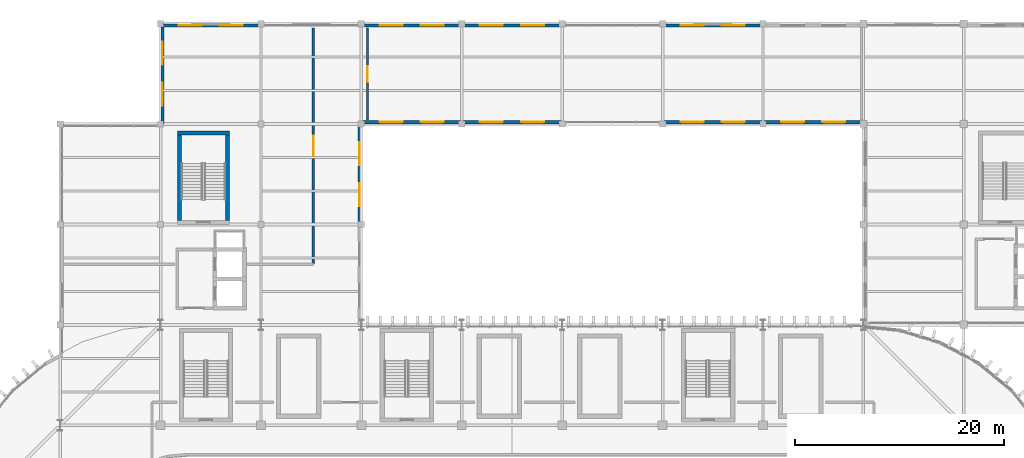
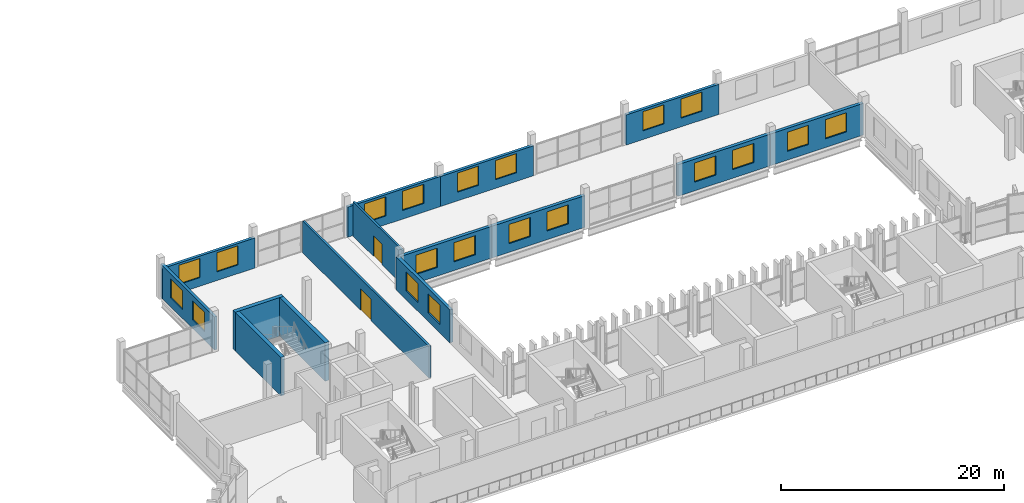
# One storey, part 64 of 92: 20 windows, 15 walls, 2 doors, 22 openings.
"""IFC4 building model written with IfcOpenShell, lengths in metres."""

from ifc_helpers import new_model, si_unit, direction, frame, frame_2d, origin, place, context, subcontext, project, spatial, rectangle, extrude, material, layer, layer_set, type_object, element, fill, save


model = new_model("IFC4")

# Units and contexts
model_context = context("Model", 3, precision=1e-05, world=origin(), true_north=direction((0.0, 1.0)))
body_context = subcontext(model_context, "Body", "Model", "MODEL_VIEW")
ifc_project = project(units=[si_unit("LENGTHUNIT", "METRE"), si_unit("AREAUNIT", "SQUARE_METRE"), si_unit("VOLUMEUNIT", "CUBIC_METRE"), si_unit("PLANEANGLEUNIT", "RADIAN"), si_unit("MASSUNIT", "GRAM", prefix="KILO")], contexts=[model_context])

# Site, building, storey
site_placement = place(None, origin())
site = spatial("IfcSite", under=ifc_project, at=site_placement, CompositionType="ELEMENT")
building_placement = place(site_placement, origin())
building = spatial("IfcBuilding", under=site, at=building_placement, Name="Caelomonte Colonnade Arena", CompositionType="ELEMENT")
storey_placement = place(building_placement, frame((0.0, 0.0, 9.60009765625)))
storey = spatial("IfcBuildingStorey", under=building, at=storey_placement, Name="L02", CompositionType="ELEMENT", Elevation=9.60009765625)

# Wall, openings, windows
ifc_material_1 = material(Name="Precast concrete C40/50", Category="concrete")
ifc_layer_1 = layer(ifc_material_1, 0.2900390625)
ifc_layer_set_1 = layer_set([ifc_layer_1], Name="Precast concrete C40/50")
wall_type_1 = type_object("IfcWallType", Name="ENV-WL-EXT29", PredefinedType="SOLIDWALL", material=ifc_layer_set_1)
wall_1_placement = place(storey_placement, frame((134.39990234375, 143.820068359375, 0.0), z_axis=(0.0, 0.0, 1.0), x_axis=(-1.0, 0.0, 0.0)))
wall_1 = element("IfcWall", 1, at=wall_1_placement, inside=storey, type_object=wall_type_1, Name="L02 exterior wall EW-L02-0261", PredefinedType="SOLIDWALL", context=body_context, shape_type="SweptSolid", body=[
    extrude(rectangle(XDim=9.599853515625, YDim=0.2900390625, at=frame_2d((4.7998046875, 0.0))), origin(), (0.0, 0.0, 1.0), 3.29296875),
])
opening_1_placement = place(wall_1_placement, frame((3.933349609375, 0.0, 0.949951171875), z_axis=(0.0, 0.0, 1.0), x_axis=(-1.0, 0.0, 0.0)))
opening_1 = element("IfcOpeningElement", 2, at=opening_1_placement, cuts=wall_1, Name="Opening WN-05", PredefinedType="OPENING", context=body_context, shape_type="SweptSolid", body=[
    extrude(rectangle(XDim=2.199951171875, YDim=2.10009765625, at=frame_2d((1.10009765625, 1.050048828125))), frame((0.0, 0.155029296875, 0.0), z_axis=(0.0, -1.0, 0.0), x_axis=(1.0, 0.0, 0.0)), (0.0, 0.0, 1.0), 0.31005859375),
])
opening_2_placement = place(wall_1_placement, frame((7.86669921875, 0.0, 0.949951171875), z_axis=(0.0, 0.0, 1.0), x_axis=(-1.0, 0.0, 0.0)))
opening_2 = element("IfcOpeningElement", 3, at=opening_2_placement, cuts=wall_1, Name="Opening WN-05", PredefinedType="OPENING", context=body_context, shape_type="SweptSolid", body=[
    extrude(rectangle(XDim=2.199951171875, YDim=2.10009765625, at=frame_2d((1.10009765625, 1.050048828125))), frame((0.0, 0.155029296875, 0.0), z_axis=(0.0, -1.0, 0.0), x_axis=(1.0, 0.0, 0.0)), (0.0, 0.0, 1.0), 0.31005859375),
])
ifc_material_2 = material(Name="Solar-control bronze low-E double glazing", Category="glass")
window_type = type_object("IfcWindowType", Name="ENV-WN-V4B", PartitioningType="DOUBLE_PANEL_VERTICAL", PredefinedType="WINDOW", material=ifc_material_2)
window_1_placement = place(opening_1_placement, origin())
window_1 = element("IfcWindow", 4, at=window_1_placement, inside=storey, type_object=window_type, Name="L02 facade window 184", OverallHeight=2.10009765625, OverallWidth=2.199951171875, PartitioningType="SINGLE_PANEL", PredefinedType="WINDOW", context=body_context, shape_type="SweptSolid", body=[
    extrude(rectangle(XDim=2.199951171875, YDim=2.10009765625, at=frame_2d((1.10009765625, 1.050048828125))), frame((0.0, 0.030029296875, 0.0), z_axis=(0.0, -1.0, 0.0), x_axis=(1.0, 0.0, 0.0)), (0.0, 0.0, 1.0), 0.06005859375),
])
fill(opening_1, window_1)
window_2_placement = place(opening_2_placement, origin())
window_2 = element("IfcWindow", 5, at=window_2_placement, inside=storey, type_object=window_type, Name="L02 facade window 185", OverallHeight=2.10009765625, OverallWidth=2.199951171875, PartitioningType="SINGLE_PANEL", PredefinedType="WINDOW", context=body_context, shape_type="SweptSolid", body=[
    extrude(rectangle(XDim=2.199951171875, YDim=2.10009765625, at=frame_2d((1.10009765625, 1.050048828125))), frame((0.0, 0.030029296875, 0.0), z_axis=(0.0, -1.0, 0.0), x_axis=(1.0, 0.0, 0.0)), (0.0, 0.0, 1.0), 0.06005859375),
])
fill(opening_2, window_2)

wall_2_placement = place(storey_placement, frame((115.199951171875, 143.820068359375, 0.0), z_axis=(0.0, 0.0, 1.0), x_axis=(-1.0, 0.0, 0.0)))
wall_2 = element("IfcWall", 6, at=wall_2_placement, inside=storey, type_object=wall_type_1, Name="L02 exterior wall EW-L02-0262", PredefinedType="SOLIDWALL", context=body_context, shape_type="SweptSolid", body=[
    extrude(rectangle(XDim=9.599853515625, YDim=0.2900390625, at=frame_2d((4.7998046875, 0.0))), origin(), (0.0, 0.0, 1.0), 3.29296875),
])
opening_3_placement = place(wall_2_placement, frame((3.933349609375, 0.0, 0.949951171875), z_axis=(0.0, 0.0, 1.0), x_axis=(-1.0, 0.0, 0.0)))
opening_3 = element("IfcOpeningElement", 7, at=opening_3_placement, cuts=wall_2, Name="Opening WN-05", PredefinedType="OPENING", context=body_context, shape_type="SweptSolid", body=[
    extrude(rectangle(XDim=2.199951171875, YDim=2.10009765625, at=frame_2d((1.10009765625, 1.050048828125))), frame((0.0, 0.155029296875, 0.0), z_axis=(0.0, -1.0, 0.0), x_axis=(1.0, 0.0, 0.0)), (0.0, 0.0, 1.0), 0.31005859375),
])
opening_4_placement = place(wall_2_placement, frame((7.86669921875, 0.0, 0.949951171875), z_axis=(0.0, 0.0, 1.0), x_axis=(-1.0, 0.0, 0.0)))
opening_4 = element("IfcOpeningElement", 8, at=opening_4_placement, cuts=wall_2, Name="Opening WN-05", PredefinedType="OPENING", context=body_context, shape_type="SweptSolid", body=[
    extrude(rectangle(XDim=2.199951171875, YDim=2.10009765625, at=frame_2d((1.10009765625, 1.050048828125))), frame((0.0, 0.155029296875, 0.0), z_axis=(0.0, -1.0, 0.0), x_axis=(1.0, 0.0, 0.0)), (0.0, 0.0, 1.0), 0.31005859375),
])
window_3_placement = place(opening_3_placement, origin())
window_3 = element("IfcWindow", 9, at=window_3_placement, inside=storey, type_object=window_type, Name="L02 facade window 186", OverallHeight=2.10009765625, OverallWidth=2.199951171875, PartitioningType="SINGLE_PANEL", PredefinedType="WINDOW", context=body_context, shape_type="SweptSolid", body=[
    extrude(rectangle(XDim=2.199951171875, YDim=2.10009765625, at=frame_2d((1.10009765625, 1.050048828125))), frame((0.0, 0.030029296875, 0.0), z_axis=(0.0, -1.0, 0.0), x_axis=(1.0, 0.0, 0.0)), (0.0, 0.0, 1.0), 0.06005859375),
])
fill(opening_3, window_3)
window_4_placement = place(opening_4_placement, origin())
window_4 = element("IfcWindow", 10, at=window_4_placement, inside=storey, type_object=window_type, Name="L02 facade window 187", OverallHeight=2.10009765625, OverallWidth=2.199951171875, PartitioningType="SINGLE_PANEL", PredefinedType="WINDOW", context=body_context, shape_type="SweptSolid", body=[
    extrude(rectangle(XDim=2.199951171875, YDim=2.10009765625, at=frame_2d((1.10009765625, 1.050048828125))), frame((0.0, 0.030029296875, 0.0), z_axis=(0.0, -1.0, 0.0), x_axis=(1.0, 0.0, 0.0)), (0.0, 0.0, 1.0), 0.06005859375),
])
fill(opening_4, window_4)

wall_3_placement = place(storey_placement, frame((105.60009765625, 143.820068359375, 0.0), z_axis=(0.0, 0.0, 1.0), x_axis=(-1.0, 0.0, 0.0)))
wall_3 = element("IfcWall", 11, at=wall_3_placement, inside=storey, type_object=wall_type_1, Name="L02 exterior wall EW-L02-0263", PredefinedType="SOLIDWALL", context=body_context, shape_type="SweptSolid", body=[
    extrude(rectangle(XDim=9.60009765625, YDim=0.2900390625, at=frame_2d((4.800048828125, 0.0))), origin(), (0.0, 0.0, 1.0), 3.29296875),
])
opening_5_placement = place(wall_3_placement, frame((3.933349609375, 0.0, 0.949951171875), z_axis=(0.0, 0.0, 1.0), x_axis=(-1.0, 0.0, 0.0)))
opening_5 = element("IfcOpeningElement", 12, at=opening_5_placement, cuts=wall_3, Name="Opening WN-05", PredefinedType="OPENING", context=body_context, shape_type="SweptSolid", body=[
    extrude(rectangle(XDim=2.199951171875, YDim=2.10009765625, at=frame_2d((1.10009765625, 1.050048828125))), frame((0.0, 0.155029296875, 0.0), z_axis=(0.0, -1.0, 0.0), x_axis=(1.0, 0.0, 0.0)), (0.0, 0.0, 1.0), 0.31005859375),
])
opening_6_placement = place(wall_3_placement, frame((7.86669921875, 0.0, 0.949951171875), z_axis=(0.0, 0.0, 1.0), x_axis=(-1.0, 0.0, 0.0)))
opening_6 = element("IfcOpeningElement", 13, at=opening_6_placement, cuts=wall_3, Name="Opening WN-05", PredefinedType="OPENING", context=body_context, shape_type="SweptSolid", body=[
    extrude(rectangle(XDim=2.199951171875, YDim=2.10009765625, at=frame_2d((1.10009765625, 1.050048828125))), frame((0.0, 0.155029296875, 0.0), z_axis=(0.0, -1.0, 0.0), x_axis=(1.0, 0.0, 0.0)), (0.0, 0.0, 1.0), 0.31005859375),
])
window_5_placement = place(opening_5_placement, origin())
window_5 = element("IfcWindow", 14, at=window_5_placement, inside=storey, type_object=window_type, Name="L02 facade window 188", OverallHeight=2.10009765625, OverallWidth=2.199951171875, PartitioningType="SINGLE_PANEL", PredefinedType="WINDOW", context=body_context, shape_type="SweptSolid", body=[
    extrude(rectangle(XDim=2.199951171875, YDim=2.10009765625, at=frame_2d((1.10009765625, 1.050048828125))), frame((0.0, 0.030029296875, 0.0), z_axis=(0.0, -1.0, 0.0), x_axis=(1.0, 0.0, 0.0)), (0.0, 0.0, 1.0), 0.06005859375),
])
fill(opening_5, window_5)
window_6_placement = place(opening_6_placement, origin())
window_6 = element("IfcWindow", 15, at=window_6_placement, inside=storey, type_object=window_type, Name="L02 facade window 189", OverallHeight=2.10009765625, OverallWidth=2.199951171875, PartitioningType="SINGLE_PANEL", PredefinedType="WINDOW", context=body_context, shape_type="SweptSolid", body=[
    extrude(rectangle(XDim=2.199951171875, YDim=2.10009765625, at=frame_2d((1.10009765625, 1.050048828125))), frame((0.0, 0.030029296875, 0.0), z_axis=(0.0, -1.0, 0.0), x_axis=(1.0, 0.0, 0.0)), (0.0, 0.0, 1.0), 0.06005859375),
])
fill(opening_6, window_6)

wall_4_placement = place(storey_placement, frame((86.39990234375, 143.820068359375, 0.0), z_axis=(0.0, 0.0, 1.0), x_axis=(-1.0, 0.0, 0.0)))
wall_4 = element("IfcWall", 16, at=wall_4_placement, inside=storey, type_object=wall_type_1, Name="L02 exterior wall EW-L02-0264", PredefinedType="SOLIDWALL", context=body_context, shape_type="SweptSolid", body=[
    extrude(rectangle(XDim=9.599853515625, YDim=0.2900390625, at=frame_2d((4.7998046875, 0.0))), origin(), (0.0, 0.0, 1.0), 3.29296875),
])
opening_7_placement = place(wall_4_placement, frame((3.933349609375, 0.0, 0.949951171875), z_axis=(0.0, 0.0, 1.0), x_axis=(-1.0, 0.0, 0.0)))
opening_7 = element("IfcOpeningElement", 17, at=opening_7_placement, cuts=wall_4, Name="Opening WN-05", PredefinedType="OPENING", context=body_context, shape_type="SweptSolid", body=[
    extrude(rectangle(XDim=2.199951171875, YDim=2.10009765625, at=frame_2d((1.10009765625, 1.050048828125))), frame((0.0, 0.155029296875, 0.0), z_axis=(0.0, -1.0, 0.0), x_axis=(1.0, 0.0, 0.0)), (0.0, 0.0, 1.0), 0.31005859375),
])
opening_8_placement = place(wall_4_placement, frame((7.86669921875, 0.0, 0.949951171875), z_axis=(0.0, 0.0, 1.0), x_axis=(-1.0, 0.0, 0.0)))
opening_8 = element("IfcOpeningElement", 18, at=opening_8_placement, cuts=wall_4, Name="Opening WN-05", PredefinedType="OPENING", context=body_context, shape_type="SweptSolid", body=[
    extrude(rectangle(XDim=2.199951171875, YDim=2.10009765625, at=frame_2d((1.10009765625, 1.050048828125))), frame((0.0, 0.155029296875, 0.0), z_axis=(0.0, -1.0, 0.0), x_axis=(1.0, 0.0, 0.0)), (0.0, 0.0, 1.0), 0.31005859375),
])
window_7_placement = place(opening_7_placement, origin())
window_7 = element("IfcWindow", 19, at=window_7_placement, inside=storey, type_object=window_type, Name="L02 facade window 190", OverallHeight=2.10009765625, OverallWidth=2.199951171875, PartitioningType="SINGLE_PANEL", PredefinedType="WINDOW", context=body_context, shape_type="SweptSolid", body=[
    extrude(rectangle(XDim=2.199951171875, YDim=2.10009765625, at=frame_2d((1.10009765625, 1.050048828125))), frame((0.0, 0.030029296875, 0.0), z_axis=(0.0, -1.0, 0.0), x_axis=(1.0, 0.0, 0.0)), (0.0, 0.0, 1.0), 0.06005859375),
])
fill(opening_7, window_7)
window_8_placement = place(opening_8_placement, origin())
window_8 = element("IfcWindow", 20, at=window_8_placement, inside=storey, type_object=window_type, Name="L02 facade window 191", OverallHeight=2.10009765625, OverallWidth=2.199951171875, PartitioningType="SINGLE_PANEL", PredefinedType="WINDOW", context=body_context, shape_type="SweptSolid", body=[
    extrude(rectangle(XDim=2.199951171875, YDim=2.10009765625, at=frame_2d((1.10009765625, 1.050048828125))), frame((0.0, 0.030029296875, 0.0), z_axis=(0.0, -1.0, 0.0), x_axis=(1.0, 0.0, 0.0)), (0.0, 0.0, 1.0), 0.06005859375),
])
fill(opening_8, window_8)

wall_5_placement = place(storey_placement, frame((76.97998046875, 144.0, 0.0), z_axis=(0.0, 0.0, 1.0), x_axis=(0.0, -1.0, 0.0)))
wall_5 = element("IfcWall", 21, at=wall_5_placement, inside=storey, type_object=wall_type_1, Name="L02 exterior wall EW-L02-0265", PredefinedType="SOLIDWALL", context=body_context, shape_type="SweptSolid", body=[
    extrude(rectangle(XDim=9.60009765625, YDim=0.2900390625, at=frame_2d((4.800048828125, 0.0))), origin(), (0.0, 0.0, 1.0), 3.61279296875),
])
opening_9_placement = place(wall_5_placement, frame((3.933349609375, 0.0, 0.949951171875), z_axis=(0.0, 0.0, 1.0), x_axis=(-1.0, 0.0, 0.0)))
opening_9 = element("IfcOpeningElement", 22, at=opening_9_placement, cuts=wall_5, Name="Opening WN-05", PredefinedType="OPENING", context=body_context, shape_type="SweptSolid", body=[
    extrude(rectangle(XDim=2.199951171875, YDim=2.10009765625, at=frame_2d((1.10009765625, 1.050048828125))), frame((0.0, 0.155029296875, 0.0), z_axis=(0.0, -1.0, 0.0), x_axis=(1.0, 0.0, 0.0)), (0.0, 0.0, 1.0), 0.31005859375),
])
opening_10_placement = place(wall_5_placement, frame((7.86669921875, 0.0, 0.949951171875), z_axis=(0.0, 0.0, 1.0), x_axis=(-1.0, 0.0, 0.0)))
opening_10 = element("IfcOpeningElement", 23, at=opening_10_placement, cuts=wall_5, Name="Opening WN-05", PredefinedType="OPENING", context=body_context, shape_type="SweptSolid", body=[
    extrude(rectangle(XDim=2.199951171875, YDim=2.10009765625, at=frame_2d((1.10009765625, 1.050048828125))), frame((0.0, 0.155029296875, 0.0), z_axis=(0.0, -1.0, 0.0), x_axis=(1.0, 0.0, 0.0)), (0.0, 0.0, 1.0), 0.31005859375),
])
window_9_placement = place(opening_9_placement, origin())
window_9 = element("IfcWindow", 24, at=window_9_placement, inside=storey, type_object=window_type, Name="L02 facade window 192", OverallHeight=2.10009765625, OverallWidth=2.199951171875, PartitioningType="SINGLE_PANEL", PredefinedType="WINDOW", context=body_context, shape_type="SweptSolid", body=[
    extrude(rectangle(XDim=2.199951171875, YDim=2.10009765625, at=frame_2d((1.10009765625, 1.050048828125))), frame((0.0, 0.030029296875, 0.0), z_axis=(0.0, -1.0, 0.0), x_axis=(1.0, 0.0, 0.0)), (0.0, 0.0, 1.0), 0.06005859375),
])
fill(opening_9, window_9)
window_10_placement = place(opening_10_placement, origin())
window_10 = element("IfcWindow", 25, at=window_10_placement, inside=storey, type_object=window_type, Name="L02 facade window 193", OverallHeight=2.10009765625, OverallWidth=2.199951171875, PartitioningType="SINGLE_PANEL", PredefinedType="WINDOW", context=body_context, shape_type="SweptSolid", body=[
    extrude(rectangle(XDim=2.199951171875, YDim=2.10009765625, at=frame_2d((1.10009765625, 1.050048828125))), frame((0.0, 0.030029296875, 0.0), z_axis=(0.0, -1.0, 0.0), x_axis=(1.0, 0.0, 0.0)), (0.0, 0.0, 1.0), 0.06005859375),
])
fill(opening_10, window_10)

ifc_layer_2 = layer(ifc_material_1, 0.330078125)
ifc_layer_set_2 = layer_set([ifc_layer_2], Name="Precast concrete C40/50")
wall_type_2 = type_object("IfcWallType", Name="ENV-WL-EXT33", PredefinedType="SOLIDWALL", material=ifc_layer_set_2)
wall_6_placement = place(storey_placement, frame((95.820068359375, 124.800048828125, 0.0), z_axis=(0.0, 0.0, 1.0), x_axis=(0.0, 1.0, 0.0)))
wall_6 = element("IfcWall", 26, at=wall_6_placement, inside=storey, type_object=wall_type_2, Name="L02 exterior wall EW-L02-0269", PredefinedType="SOLIDWALL", context=body_context, shape_type="SweptSolid", body=[
    extrude(rectangle(XDim=9.599853515625, YDim=0.330078125, at=frame_2d((4.7998046875, 0.0))), origin(), (0.0, 0.0, 1.0), 3.61279296875),
])
opening_11_placement = place(wall_6_placement, frame((3.933349609375, 0.0, 0.949951171875), z_axis=(0.0, 0.0, 1.0), x_axis=(-1.0, 0.0, 0.0)))
opening_11 = element("IfcOpeningElement", 27, at=opening_11_placement, cuts=wall_6, Name="Opening WN-05", PredefinedType="OPENING", context=body_context, shape_type="SweptSolid", body=[
    extrude(rectangle(XDim=2.199951171875, YDim=2.10009765625, at=frame_2d((1.10009765625, 1.050048828125))), frame((0.0, 0.175048828125, 0.0), z_axis=(0.0, -1.0, 0.0), x_axis=(1.0, 0.0, 0.0)), (0.0, 0.0, 1.0), 0.35009765625),
])
opening_12_placement = place(wall_6_placement, frame((7.86669921875, 0.0, 0.949951171875), z_axis=(0.0, 0.0, 1.0), x_axis=(-1.0, 0.0, 0.0)))
opening_12 = element("IfcOpeningElement", 28, at=opening_12_placement, cuts=wall_6, Name="Opening WN-05", PredefinedType="OPENING", context=body_context, shape_type="SweptSolid", body=[
    extrude(rectangle(XDim=2.199951171875, YDim=2.10009765625, at=frame_2d((1.10009765625, 1.050048828125))), frame((0.0, 0.175048828125, 0.0), z_axis=(0.0, -1.0, 0.0), x_axis=(1.0, 0.0, 0.0)), (0.0, 0.0, 1.0), 0.35009765625),
])
window_11_placement = place(opening_11_placement, origin())
window_11 = element("IfcWindow", 29, at=window_11_placement, inside=storey, type_object=window_type, Name="L02 facade window 197", OverallHeight=2.10009765625, OverallWidth=2.199951171875, PartitioningType="SINGLE_PANEL", PredefinedType="WINDOW", context=body_context, shape_type="SweptSolid", body=[
    extrude(rectangle(XDim=2.199951171875, YDim=2.10009765625, at=frame_2d((1.10009765625, 1.050048828125))), frame((0.0, 0.030029296875, 0.0), z_axis=(0.0, -1.0, 0.0), x_axis=(1.0, 0.0, 0.0)), (0.0, 0.0, 1.0), 0.06005859375),
])
fill(opening_11, window_11)
window_12_placement = place(opening_12_placement, origin())
window_12 = element("IfcWindow", 30, at=window_12_placement, inside=storey, type_object=window_type, Name="L02 facade window 198", OverallHeight=2.10009765625, OverallWidth=2.199951171875, PartitioningType="SINGLE_PANEL", PredefinedType="WINDOW", context=body_context, shape_type="SweptSolid", body=[
    extrude(rectangle(XDim=2.199951171875, YDim=2.10009765625, at=frame_2d((1.10009765625, 1.050048828125))), frame((0.0, 0.030029296875, 0.0), z_axis=(0.0, -1.0, 0.0), x_axis=(1.0, 0.0, 0.0)), (0.0, 0.0, 1.0), 0.06005859375),
])
fill(opening_12, window_12)

wall_7_placement = place(storey_placement, frame((96.0, 134.580078125, 0.0), z_axis=(0.0, 0.0, 1.0), x_axis=(1.0, 0.0, 0.0)))
wall_7 = element("IfcWall", 31, at=wall_7_placement, inside=storey, type_object=wall_type_2, Name="L02 exterior wall EW-L02-0270", PredefinedType="SOLIDWALL", context=body_context, shape_type="SweptSolid", body=[
    extrude(rectangle(XDim=9.60009765625, YDim=0.330078125, at=frame_2d((4.800048828125, 0.0))), origin(), (0.0, 0.0, 1.0), 3.465576171875),
])
opening_13_placement = place(wall_7_placement, frame((3.933349609375, 0.0, 0.949951171875), z_axis=(0.0, 0.0, 1.0), x_axis=(-1.0, 0.0, 0.0)))
opening_13 = element("IfcOpeningElement", 32, at=opening_13_placement, cuts=wall_7, Name="Opening WN-05", PredefinedType="OPENING", context=body_context, shape_type="SweptSolid", body=[
    extrude(rectangle(XDim=2.199951171875, YDim=2.10009765625, at=frame_2d((1.10009765625, 1.050048828125))), frame((0.0, 0.175048828125, 0.0), z_axis=(0.0, -1.0, 0.0), x_axis=(1.0, 0.0, 0.0)), (0.0, 0.0, 1.0), 0.35009765625),
])
opening_14_placement = place(wall_7_placement, frame((7.86669921875, 0.0, 0.949951171875), z_axis=(0.0, 0.0, 1.0), x_axis=(-1.0, 0.0, 0.0)))
opening_14 = element("IfcOpeningElement", 33, at=opening_14_placement, cuts=wall_7, Name="Opening WN-05", PredefinedType="OPENING", context=body_context, shape_type="SweptSolid", body=[
    extrude(rectangle(XDim=2.199951171875, YDim=2.10009765625, at=frame_2d((1.10009765625, 1.050048828125))), frame((0.0, 0.175048828125, 0.0), z_axis=(0.0, -1.0, 0.0), x_axis=(1.0, 0.0, 0.0)), (0.0, 0.0, 1.0), 0.35009765625),
])
window_13_placement = place(opening_13_placement, origin())
window_13 = element("IfcWindow", 34, at=window_13_placement, inside=storey, type_object=window_type, Name="L02 facade window 199", OverallHeight=2.10009765625, OverallWidth=2.199951171875, PartitioningType="SINGLE_PANEL", PredefinedType="WINDOW", context=body_context, shape_type="SweptSolid", body=[
    extrude(rectangle(XDim=2.199951171875, YDim=2.10009765625, at=frame_2d((1.10009765625, 1.050048828125))), frame((0.0, 0.030029296875, 0.0), z_axis=(0.0, -1.0, 0.0), x_axis=(1.0, 0.0, 0.0)), (0.0, 0.0, 1.0), 0.06005859375),
])
fill(opening_13, window_13)
window_14_placement = place(opening_14_placement, origin())
window_14 = element("IfcWindow", 35, at=window_14_placement, inside=storey, type_object=window_type, Name="L02 facade window 200", OverallHeight=2.10009765625, OverallWidth=2.199951171875, PartitioningType="SINGLE_PANEL", PredefinedType="WINDOW", context=body_context, shape_type="SweptSolid", body=[
    extrude(rectangle(XDim=2.199951171875, YDim=2.10009765625, at=frame_2d((1.10009765625, 1.050048828125))), frame((0.0, 0.030029296875, 0.0), z_axis=(0.0, -1.0, 0.0), x_axis=(1.0, 0.0, 0.0)), (0.0, 0.0, 1.0), 0.06005859375),
])
fill(opening_14, window_14)

wall_8_placement = place(storey_placement, frame((105.60009765625, 134.580078125, 0.0), z_axis=(0.0, 0.0, 1.0), x_axis=(1.0, 0.0, 0.0)))
wall_8 = element("IfcWall", 36, at=wall_8_placement, inside=storey, type_object=wall_type_2, Name="L02 exterior wall EW-L02-0271", PredefinedType="SOLIDWALL", context=body_context, shape_type="SweptSolid", body=[
    extrude(rectangle(XDim=9.599853515625, YDim=0.330078125, at=frame_2d((4.7998046875, 0.0))), origin(), (0.0, 0.0, 1.0), 3.465576171875),
])
opening_15_placement = place(wall_8_placement, frame((3.933349609375, 0.0, 0.949951171875), z_axis=(0.0, 0.0, 1.0), x_axis=(-1.0, 0.0, 0.0)))
opening_15 = element("IfcOpeningElement", 37, at=opening_15_placement, cuts=wall_8, Name="Opening WN-05", PredefinedType="OPENING", context=body_context, shape_type="SweptSolid", body=[
    extrude(rectangle(XDim=2.199951171875, YDim=2.10009765625, at=frame_2d((1.10009765625, 1.050048828125))), frame((0.0, 0.175048828125, 0.0), z_axis=(0.0, -1.0, 0.0), x_axis=(1.0, 0.0, 0.0)), (0.0, 0.0, 1.0), 0.35009765625),
])
opening_16_placement = place(wall_8_placement, frame((7.86669921875, 0.0, 0.949951171875), z_axis=(0.0, 0.0, 1.0), x_axis=(-1.0, 0.0, 0.0)))
opening_16 = element("IfcOpeningElement", 38, at=opening_16_placement, cuts=wall_8, Name="Opening WN-05", PredefinedType="OPENING", context=body_context, shape_type="SweptSolid", body=[
    extrude(rectangle(XDim=2.199951171875, YDim=2.10009765625, at=frame_2d((1.10009765625, 1.050048828125))), frame((0.0, 0.175048828125, 0.0), z_axis=(0.0, -1.0, 0.0), x_axis=(1.0, 0.0, 0.0)), (0.0, 0.0, 1.0), 0.35009765625),
])
window_15_placement = place(opening_15_placement, origin())
window_15 = element("IfcWindow", 39, at=window_15_placement, inside=storey, type_object=window_type, Name="L02 facade window 201", OverallHeight=2.10009765625, OverallWidth=2.199951171875, PartitioningType="SINGLE_PANEL", PredefinedType="WINDOW", context=body_context, shape_type="SweptSolid", body=[
    extrude(rectangle(XDim=2.199951171875, YDim=2.10009765625, at=frame_2d((1.10009765625, 1.050048828125))), frame((0.0, 0.030029296875, 0.0), z_axis=(0.0, -1.0, 0.0), x_axis=(1.0, 0.0, 0.0)), (0.0, 0.0, 1.0), 0.06005859375),
])
fill(opening_15, window_15)
window_16_placement = place(opening_16_placement, origin())
window_16 = element("IfcWindow", 40, at=window_16_placement, inside=storey, type_object=window_type, Name="L02 facade window 202", OverallHeight=2.10009765625, OverallWidth=2.199951171875, PartitioningType="SINGLE_PANEL", PredefinedType="WINDOW", context=body_context, shape_type="SweptSolid", body=[
    extrude(rectangle(XDim=2.199951171875, YDim=2.10009765625, at=frame_2d((1.10009765625, 1.050048828125))), frame((0.0, 0.030029296875, 0.0), z_axis=(0.0, -1.0, 0.0), x_axis=(1.0, 0.0, 0.0)), (0.0, 0.0, 1.0), 0.06005859375),
])
fill(opening_16, window_16)

wall_9_placement = place(storey_placement, frame((124.800048828125, 134.580078125, 0.0), z_axis=(0.0, 0.0, 1.0), x_axis=(1.0, 0.0, 0.0)))
wall_9 = element("IfcWall", 41, at=wall_9_placement, inside=storey, type_object=wall_type_2, Name="L02 exterior wall EW-L02-0272", PredefinedType="SOLIDWALL", context=body_context, shape_type="SweptSolid", body=[
    extrude(rectangle(XDim=9.599853515625, YDim=0.330078125, at=frame_2d((4.7998046875, 0.0))), origin(), (0.0, 0.0, 1.0), 3.465576171875),
])
opening_17_placement = place(wall_9_placement, frame((3.933349609375, 0.0, 0.949951171875), z_axis=(0.0, 0.0, 1.0), x_axis=(-1.0, 0.0, 0.0)))
opening_17 = element("IfcOpeningElement", 42, at=opening_17_placement, cuts=wall_9, Name="Opening WN-05", PredefinedType="OPENING", context=body_context, shape_type="SweptSolid", body=[
    extrude(rectangle(XDim=2.199951171875, YDim=2.10009765625, at=frame_2d((1.10009765625, 1.050048828125))), frame((0.0, 0.175048828125, 0.0), z_axis=(0.0, -1.0, 0.0), x_axis=(1.0, 0.0, 0.0)), (0.0, 0.0, 1.0), 0.35009765625),
])
opening_18_placement = place(wall_9_placement, frame((7.86669921875, 0.0, 0.949951171875), z_axis=(0.0, 0.0, 1.0), x_axis=(-1.0, 0.0, 0.0)))
opening_18 = element("IfcOpeningElement", 43, at=opening_18_placement, cuts=wall_9, Name="Opening WN-05", PredefinedType="OPENING", context=body_context, shape_type="SweptSolid", body=[
    extrude(rectangle(XDim=2.199951171875, YDim=2.10009765625, at=frame_2d((1.10009765625, 1.050048828125))), frame((0.0, 0.175048828125, 0.0), z_axis=(0.0, -1.0, 0.0), x_axis=(1.0, 0.0, 0.0)), (0.0, 0.0, 1.0), 0.35009765625),
])
window_17_placement = place(opening_17_placement, origin())
window_17 = element("IfcWindow", 44, at=window_17_placement, inside=storey, type_object=window_type, Name="L02 facade window 203", OverallHeight=2.10009765625, OverallWidth=2.199951171875, PartitioningType="SINGLE_PANEL", PredefinedType="WINDOW", context=body_context, shape_type="SweptSolid", body=[
    extrude(rectangle(XDim=2.199951171875, YDim=2.10009765625, at=frame_2d((1.10009765625, 1.050048828125))), frame((0.0, 0.030029296875, 0.0), z_axis=(0.0, -1.0, 0.0), x_axis=(1.0, 0.0, 0.0)), (0.0, 0.0, 1.0), 0.06005859375),
])
fill(opening_17, window_17)
window_18_placement = place(opening_18_placement, origin())
window_18 = element("IfcWindow", 45, at=window_18_placement, inside=storey, type_object=window_type, Name="L02 facade window 204", OverallHeight=2.10009765625, OverallWidth=2.199951171875, PartitioningType="SINGLE_PANEL", PredefinedType="WINDOW", context=body_context, shape_type="SweptSolid", body=[
    extrude(rectangle(XDim=2.199951171875, YDim=2.10009765625, at=frame_2d((1.10009765625, 1.050048828125))), frame((0.0, 0.030029296875, 0.0), z_axis=(0.0, -1.0, 0.0), x_axis=(1.0, 0.0, 0.0)), (0.0, 0.0, 1.0), 0.06005859375),
])
fill(opening_18, window_18)

wall_10_placement = place(storey_placement, frame((134.39990234375, 134.580078125, 0.0), z_axis=(0.0, 0.0, 1.0), x_axis=(1.0, 0.0, 0.0)))
wall_10 = element("IfcWall", 46, at=wall_10_placement, inside=storey, type_object=wall_type_2, Name="L02 exterior wall EW-L02-0273", PredefinedType="SOLIDWALL", context=body_context, shape_type="SweptSolid", body=[
    extrude(rectangle(XDim=9.60009765625, YDim=0.330078125, at=frame_2d((4.800048828125, 0.0))), origin(), (0.0, 0.0, 1.0), 3.465576171875),
])
opening_19_placement = place(wall_10_placement, frame((3.933349609375, 0.0, 0.949951171875), z_axis=(0.0, 0.0, 1.0), x_axis=(-1.0, 0.0, 0.0)))
opening_19 = element("IfcOpeningElement", 47, at=opening_19_placement, cuts=wall_10, Name="Opening WN-05", PredefinedType="OPENING", context=body_context, shape_type="SweptSolid", body=[
    extrude(rectangle(XDim=2.199951171875, YDim=2.10009765625, at=frame_2d((1.10009765625, 1.050048828125))), frame((0.0, 0.175048828125, 0.0), z_axis=(0.0, -1.0, 0.0), x_axis=(1.0, 0.0, 0.0)), (0.0, 0.0, 1.0), 0.35009765625),
])
opening_20_placement = place(wall_10_placement, frame((7.86669921875, 0.0, 0.949951171875), z_axis=(0.0, 0.0, 1.0), x_axis=(-1.0, 0.0, 0.0)))
opening_20 = element("IfcOpeningElement", 48, at=opening_20_placement, cuts=wall_10, Name="Opening WN-05", PredefinedType="OPENING", context=body_context, shape_type="SweptSolid", body=[
    extrude(rectangle(XDim=2.199951171875, YDim=2.10009765625, at=frame_2d((1.10009765625, 1.050048828125))), frame((0.0, 0.175048828125, 0.0), z_axis=(0.0, -1.0, 0.0), x_axis=(1.0, 0.0, 0.0)), (0.0, 0.0, 1.0), 0.35009765625),
])
window_19_placement = place(opening_19_placement, origin())
window_19 = element("IfcWindow", 49, at=window_19_placement, inside=storey, type_object=window_type, Name="L02 facade window 205", OverallHeight=2.10009765625, OverallWidth=2.199951171875, PartitioningType="SINGLE_PANEL", PredefinedType="WINDOW", context=body_context, shape_type="SweptSolid", body=[
    extrude(rectangle(XDim=2.199951171875, YDim=2.10009765625, at=frame_2d((1.10009765625, 1.050048828125))), frame((0.0, 0.030029296875, 0.0), z_axis=(0.0, -1.0, 0.0), x_axis=(1.0, 0.0, 0.0)), (0.0, 0.0, 1.0), 0.06005859375),
])
fill(opening_19, window_19)
window_20_placement = place(opening_20_placement, origin())
window_20 = element("IfcWindow", 50, at=window_20_placement, inside=storey, type_object=window_type, Name="L02 facade window 206", OverallHeight=2.10009765625, OverallWidth=2.199951171875, PartitioningType="SINGLE_PANEL", PredefinedType="WINDOW", context=body_context, shape_type="SweptSolid", body=[
    extrude(rectangle(XDim=2.199951171875, YDim=2.10009765625, at=frame_2d((1.10009765625, 1.050048828125))), frame((0.0, 0.030029296875, 0.0), z_axis=(0.0, -1.0, 0.0), x_axis=(1.0, 0.0, 0.0)), (0.0, 0.0, 1.0), 0.06005859375),
])
fill(opening_20, window_20)

# Wall, opening, door
ifc_material_3 = material(Name="Fire-rated gypsum stud partition")
ifc_layer_3 = layer(ifc_material_3, 0.199951171875)
ifc_layer_set_3 = layer_set([ifc_layer_3], Name="Fire-rated gypsum stud partition")
wall_type_3 = type_object("IfcWallType", Name="INT-WL-PT20", PredefinedType="PARTITIONING", material=ifc_layer_set_3)
wall_11_placement = place(storey_placement, frame((96.60009765625, 134.800048828125, 0.0), z_axis=(0.0, 0.0, 1.0), x_axis=(0.0, 1.0, 0.0)))
wall_11 = element("IfcWall", 51, at=wall_11_placement, inside=storey, type_object=wall_type_3, Name="L02 Founders Club Lounge partition 188", PredefinedType="PARTITIONING", context=body_context, shape_type="SweptSolid", body=[
    extrude(rectangle(XDim=8.800048828125, YDim=0.199951171875, at=frame_2d((4.39990234375, 0.0))), origin(), (0.0, 0.0, 1.0), 3.765380859375),
])
opening_21_placement = place(wall_11_placement, frame((3.64990234375, 0.0, 0.0), z_axis=(0.0, 0.0, 1.0), x_axis=(1.0, 0.0, 0.0)))
opening_21 = element("IfcOpeningElement", 52, at=opening_21_placement, cuts=wall_11, Name="Opening D-L02-054", PredefinedType="OPENING", context=body_context, shape_type="SweptSolid", body=[
    extrude(rectangle(XDim=1.5, YDim=2.25, at=frame_2d((0.75, 1.125))), frame((0.0, 0.10986328125, 0.0), z_axis=(0.0, -1.0, 0.0), x_axis=(1.0, 0.0, 0.0)), (0.0, 0.0, 1.0), 0.219970703125),
])
ifc_material_4 = material(Name="Hardwood double club lounge door", Category="wood")
door_type_1 = type_object("IfcDoorType", Name="INT-DR-SU2", OperationType="DOUBLE_DOOR_SINGLE_SWING", PredefinedType="DOOR", material=ifc_material_4)
door_1_placement = place(opening_21_placement, origin())
door_1 = element("IfcDoor", 53, at=door_1_placement, inside=storey, type_object=door_type_1, Name="L02 Founders Club Lounge door D-L02-054", OperationType="DOUBLE_DOOR_SINGLE_SWING", OverallHeight=2.25, OverallWidth=1.5, PredefinedType="DOOR", context=body_context, shape_type="SweptSolid", body=[
    extrude(rectangle(XDim=1.5, YDim=2.25, at=frame_2d((0.75, 1.125))), frame((0.0, 0.02490234375, 0.0), z_axis=(0.0, -1.0, 0.0), x_axis=(1.0, 0.0, 0.0)), (0.0, 0.0, 1.0), 0.050048828125),
])
fill(opening_21, door_1)

ifc_material_5 = material(Name="Acoustic masonry blockwork", Category="masonry")
ifc_layer_4 = layer(ifc_material_5, 0.219970703125)
ifc_layer_set_4 = layer_set([ifc_layer_4], Name="Acoustic masonry blockwork")
wall_type_4 = type_object("IfcWallType", Name="INT-WL-PT22", PredefinedType="PARTITIONING", material=ifc_layer_set_4)
wall_12_placement = place(storey_placement, frame((91.39990234375, 143.60009765625, 0.0), z_axis=(0.0, 0.0, 1.0), x_axis=(0.0, -1.0, 0.0)))
wall_12 = element("IfcWall", 54, at=wall_12_placement, inside=storey, type_object=wall_type_4, Name="L02 Club Catering Kitchen partition 184", PredefinedType="PARTITIONING", context=body_context, shape_type="SweptSolid", body=[
    extrude(rectangle(XDim=22.60009765625, YDim=0.219970703125, at=frame_2d((11.300048828125, 0.0))), origin(), (0.0, 0.0, 1.0), 3.465576171875),
])
opening_22_placement = place(wall_12_placement, frame((10.324951171875, 0.0, 0.0), z_axis=(0.0, 0.0, 1.0), x_axis=(1.0, 0.0, 0.0)))
opening_22 = element("IfcOpeningElement", 55, at=opening_22_placement, cuts=wall_12, Name="Opening D-L02-053", PredefinedType="OPENING", context=body_context, shape_type="SweptSolid", body=[
    extrude(rectangle(XDim=1.949951171875, YDim=2.35009765625, at=frame_2d((0.97509765625, 1.175048828125))), frame((0.0, 0.119873046875, 0.0), z_axis=(0.0, -1.0, 0.0), x_axis=(1.0, 0.0, 0.0)), (0.0, 0.0, 1.0), 0.239990234375),
])
ifc_material_6 = material(Name="Double hollow-metal plant room door")
door_type_2 = type_object("IfcDoorType", Name="INT-DR-PLT", OperationType="DOUBLE_DOOR_SINGLE_SWING", PredefinedType="DOOR", material=ifc_material_6)
door_2_placement = place(opening_22_placement, origin())
door_2 = element("IfcDoor", 56, at=door_2_placement, inside=storey, type_object=door_type_2, Name="L02 Club Catering Kitchen door D-L02-053", OperationType="DOUBLE_DOOR_SINGLE_SWING", OverallHeight=2.35009765625, OverallWidth=1.949951171875, PredefinedType="DOOR", context=body_context, shape_type="SweptSolid", body=[
    extrude(rectangle(XDim=1.949951171875, YDim=2.35009765625, at=frame_2d((0.97509765625, 1.175048828125))), frame((0.0, 0.02490234375, 0.0), z_axis=(0.0, -1.0, 0.0), x_axis=(1.0, 0.0, 0.0)), (0.0, 0.0, 1.0), 0.050048828125),
])
fill(opening_22, door_2)

# Walls
ifc_material_7 = material(Name="Concrete C50/60", Category="concrete")
ifc_layer_5 = layer(ifc_material_7, 0.39990234375)
ifc_layer_set_5 = layer_set([ifc_layer_5], Name="Concrete C50/60")
wall_type_5 = type_object("IfcWallType", Name="INT-WL-SH40", PredefinedType="SHEAR", material=ifc_layer_set_5)
wall_13_placement = place(storey_placement, frame((83.39990234375, 133.550048828125, 0.0), z_axis=(0.0, 0.0, 1.0), x_axis=(-1.0, 0.0, 0.0)))
element("IfcWall", 57, at=wall_13_placement, inside=storey, type_object=wall_type_5, Name="CW-C7-ST L02 north enclosure wall", PredefinedType="SHEAR", context=body_context, shape_type="SweptSolid", body=[
    extrude(rectangle(XDim=5.0, YDim=0.39990234375, at=frame_2d((2.5, 0.0))), origin(), (0.0, 0.0, 1.0), 4.219970703125),
])
for number, where, z_axis, x_axis, name in (
    (58, (78.60009765625, 133.35009765625, 0.0), (0.0, 0.0, 1.0), (0.0, -1.0, 0.0), "CW-C7-ST L02 west enclosure wall"),
    (59, (83.199951171875, 125.199951171875, 0.0), (0.0, 0.0, 1.0), (0.0, 1.0, 0.0), "CW-C7-ST L02 east enclosure wall"),
):
    element("IfcWall", number, at=place(storey_placement, frame(where, z_axis=z_axis, x_axis=x_axis)), inside=storey, type_object=wall_type_5, Name=name, PredefinedType="SHEAR", context=body_context, shape_type="SweptSolid", body=[
        extrude(rectangle(XDim=8.150146484375, YDim=0.39990234375, at=frame_2d((4.0751953125, 0.0))), origin(), (0.0, 0.0, 1.0), 4.219970703125),
    ])

save(model, "model.ifc")
